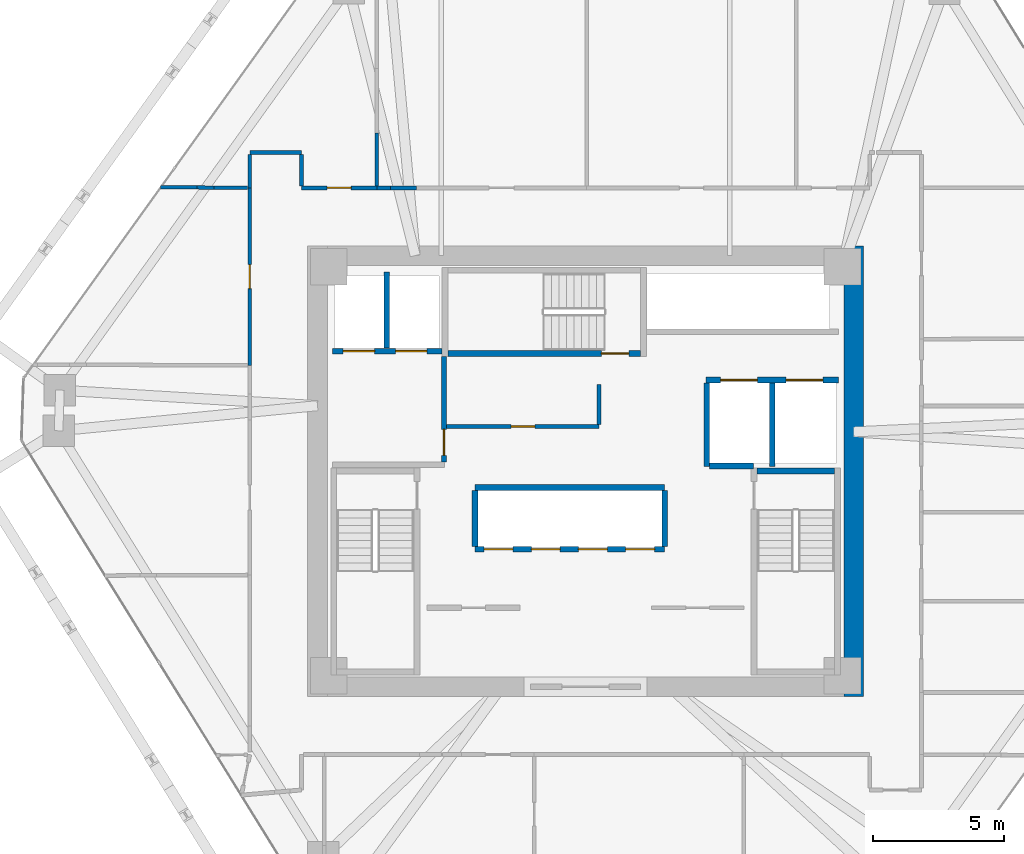
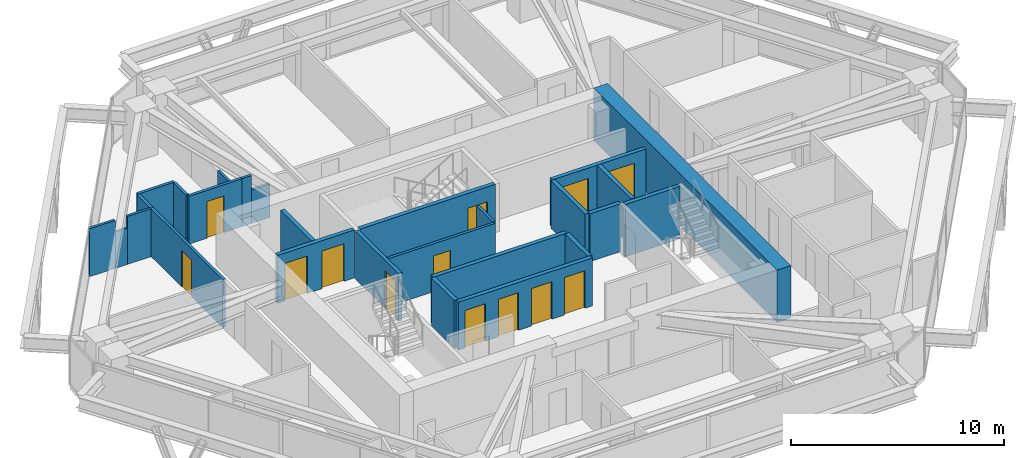
# One storey, part 11 of 14: 27 walls, 13 doors, 13 openings.
"""IFC4 building model written with IfcOpenShell, lengths in metres."""

from ifc_helpers import new_model, si_unit, direction, frame, frame_2d, origin, place, context, subcontext, project, spatial, rectangle, extrude, source, transform, mapped, material, layer, layer_set, type_object, type_shapes, element, fill, save


model = new_model("IFC4")

# Units and contexts
model_context = context("Model", 3, precision=1e-05, world=origin(), true_north=direction((0.0, 1.0)))
body_context = subcontext(model_context, "Body", "Model", "MODEL_VIEW")
ifc_project = project(units=[si_unit("LENGTHUNIT", "METRE"), si_unit("AREAUNIT", "SQUARE_METRE"), si_unit("VOLUMEUNIT", "CUBIC_METRE"), si_unit("PLANEANGLEUNIT", "RADIAN"), si_unit("MASSUNIT", "GRAM", prefix="KILO")], contexts=[model_context])

# Site, building, storey
site_placement = place(None, origin())
site = spatial("IfcSite", under=ifc_project, at=site_placement, CompositionType="ELEMENT")
building_placement = place(site_placement, origin())
building = spatial("IfcBuilding", under=site, at=building_placement, Name="Durnholm Broadcast Tower", CompositionType="ELEMENT")
storey_placement = place(building_placement, frame((0.0, 0.0, 140.10009765625)))
storey = spatial("IfcBuildingStorey", under=building, at=storey_placement, Name="L38", CompositionType="ELEMENT", Elevation=140.10009765625)

# Wall
ifc_material_1 = material(Name="Concrete C70/85", Category="concrete")
ifc_layer_1 = layer(ifc_material_1, 0.75)
ifc_layer_set_1 = layer_set([ifc_layer_1], Name="Concrete C70/85")
wall_type_1 = type_object("IfcWallType", Name="WALL-CW-750", PredefinedType="SHEAR", material=ifc_layer_set_1)
wall_1_placement = place(storey_placement, frame((10.22509765625, -8.60009765625, 0.0), z_axis=(0.0, 0.0, 1.0), x_axis=(0.0, 1.0, 0.0)))
element("IfcWall", 1, at=wall_1_placement, inside=storey, type_object=wall_type_1, Name="L38 central core shear wall CW-EAST", PredefinedType="SHEAR", context=body_context, shape_type="SweptSolid", body=[
    extrude(rectangle(XDim=17.2001953125, YDim=0.75, at=frame_2d((8.60009765625, 0.0))), origin(), (0.0, 0.0, 1.0), 3.0),
])

# Wall, opening, door
ifc_material_2 = material(Name="Fire-Rated Gypsum Shaftwall", Category="concrete")
ifc_layer_2 = layer(ifc_material_2, 0.199951171875)
ifc_layer_set_2 = layer_set([ifc_layer_2], Name="Fire-Rated Gypsum Shaftwall")
wall_type_2 = type_object("IfcWallType", Name="WALL-LOB-200", PredefinedType="SOLIDWALL", material=ifc_layer_set_2)
wall_2_placement = place(storey_placement, frame((-5.39990234375, 0.35400390625, 0.0), z_axis=(0.0, 0.0, 1.0), x_axis=(0.0, 1.0, 0.0)))
wall_2 = element("IfcWall", 2, at=wall_2_placement, inside=storey, type_object=wall_type_2, Name="L38 Fire Service Access Elevator lobby east fire wall", PredefinedType="SOLIDWALL", context=body_context, shape_type="SweptSolid", body=[
    extrude(rectangle(XDim=4.02587890625, YDim=0.199951171875, at=frame_2d((2.012939453125, 0.0))), origin(), (0.0, 0.0, 1.0), 2.744873046875),
])
opening_1_placement = place(wall_2_placement, frame((0.24609375, 0.0, 0.0)))
opening_1 = element("IfcOpeningElement", 3, at=opening_1_placement, cuts=wall_2, Name="Opening DL-60L", PredefinedType="OPENING", context=body_context, shape_type="SweptSolid", body=[
    extrude(rectangle(XDim=1.0, YDim=2.14990234375, at=frame_2d((0.5, 1.074951171875))), frame((0.0, 0.10986328125, 0.0), z_axis=(0.0, -1.0, 0.0), x_axis=(1.0, 0.0, 0.0)), (0.0, 0.0, 1.0), 0.219970703125),
])
ifc_material_3 = material(Name="Fire-Rated Timber/Steel Door", Category="steel")
ifc_layer_3 = layer(ifc_material_3, 0.050048828125)
ifc_layer_set_3 = layer_set([ifc_layer_3], Name="Fire-Rated Timber/Steel Door")
door_type_1 = type_object("IfcDoorType", Name="DOOR-LOB-FD60-L", OperationType="NOTDEFINED", PredefinedType="DOOR", material=ifc_layer_set_3)
shared_shape_1 = source(origin(), body_context, "Body", "SweptSolid", [
    extrude(rectangle(XDim=1.0, YDim=2.14990234375, at=frame_2d((0.5, 1.074951171875))), frame((0.0, 0.02490234375, 0.0), z_axis=(0.0, -1.0, 0.0), x_axis=(1.0, 0.0, 0.0)), (0.0, 0.0, 1.0), 0.050048828125),
])
type_shapes(door_type_1, [shared_shape_1])
door_1_placement = place(opening_1_placement, origin())
door_1 = element("IfcDoor", 4, at=door_1_placement, inside=storey, type_object=door_type_1, Name="L38 Fire Service Access Elevator lobby smoke door", OperationType="SINGLE_SWING_LEFT", OverallHeight=2.14990234375, OverallWidth=1.0, PredefinedType="DOOR", context=body_context, shape_type="MappedRepresentation", body=[
    mapped(shared_shape_1, transform((0.0, 0.0, 0.0), x_axis=(1.0, 0.0, 0.0), y_axis=(0.0, 1.0, 0.0), z_axis=(0.0, 0.0, 1.0), scale=1.0)),
])
fill(opening_1, door_1)

# Walls
ifc_material_4 = material(Name="Gypsum Metal Stud Partition", Category="concrete")
ifc_layer_4 = layer(ifc_material_4, 0.135009765625)
ifc_layer_set_4 = layer_set([ifc_layer_4], Name="Gypsum Metal Stud Partition")
wall_type_3 = type_object("IfcWallType", Name="WALL-PART-135", PredefinedType="PARTITIONING", material=ifc_layer_set_4)
wall_3_placement = place(storey_placement, frame((-7.9638671875, 12.91015625, 0.0), z_axis=(0.0, 0.0, 1.0), x_axis=(0.001811810047, -0.999998358671, 0.0)))
element("IfcWall", 5, at=wall_3_placement, inside=storey, type_object=wall_type_3, Name="L38 room dividing partition 7.8", PredefinedType="PARTITIONING", context=body_context, shape_type="SweptSolid", body=[
    extrude(rectangle(XDim=2.021240234375, YDim=0.135009765625, at=frame_2d((1.0107421875, 0.0))), origin(), (0.0, 0.0, 1.0), 1.912109375),
])
wall_4_placement = place(storey_placement, frame((-12.888916015625, 10.810546875, 0.0), z_axis=(0.0, 0.0, 1.0), x_axis=(-0.999976553189, 0.00684785161, 0.0)))
element("IfcWall", 6, at=wall_4_placement, inside=storey, type_object=wall_type_3, Name="L38 room dividing partition 7.17", PredefinedType="PARTITIONING", context=body_context, shape_type="SweptSolid", body=[
    extrude(rectangle(XDim=1.283447265625, YDim=0.135009765625, at=frame_2d((0.6416015625, 0.0))), origin(), (0.0, 0.0, 1.0), 2.744873046875),
])
wall_5_placement = place(storey_placement, frame((-14.82080078125, 10.82373046875, 0.0), z_axis=(0.0, 0.0, 1.0), x_axis=(-0.999976577186, 0.006844346527, 0.0)))
element("IfcWall", 7, at=wall_5_placement, inside=storey, type_object=wall_type_3, Name="L38 room dividing partition 7.17", PredefinedType="PARTITIONING", context=body_context, shape_type="SweptSolid", body=[
    extrude(rectangle(XDim=1.39111328125, YDim=0.135009765625, at=frame_2d((0.695556640625, 0.0))), origin(), (0.0, 0.0, 1.0), 2.744873046875),
])
wall_6_placement = place(storey_placement, frame((-14.17236328125, 10.8193359375, 0.0), z_axis=(0.0, 0.0, 1.0), x_axis=(-0.999977036192, 0.006776952806, 0.0)))
element("IfcWall", 8, at=wall_6_placement, inside=storey, type_object=wall_type_3, Name="L38 room dividing partition 7.17", PredefinedType="PARTITIONING", context=body_context, shape_type="SweptSolid", body=[
    extrude(rectangle(XDim=0.6484375, YDim=0.135009765625, at=frame_2d((0.32421875, 0.0))), origin(), (0.0, 0.0, 1.0), 2.079833984375),
])

# Wall, opening, door
ifc_material_5 = material(Name="Acoustic Gypsum Stud Partition", Category="concrete")
ifc_layer_5 = layer(ifc_material_5, 0.14990234375)
ifc_layer_set_5 = layer_set([ifc_layer_5], Name="Acoustic Gypsum Stud Partition")
wall_type_4 = type_object("IfcWallType", Name="WALL-PART-150", PredefinedType="PARTITIONING", material=ifc_layer_set_5)
wall_7_placement = place(storey_placement, frame((0.52001953125, 1.7099609375, 0.0), z_axis=(0.0, 0.0, 1.0), x_axis=(-1.0, 0.0, 0.0)))
wall_7 = element("IfcWall", 9, at=wall_7_placement, inside=storey, type_object=wall_type_4, Name="L38 Core Housekeeping Room corridor partition", PredefinedType="PARTITIONING", context=body_context, shape_type="SweptSolid", body=[
    extrude(rectangle(XDim=5.81591796875, YDim=0.14990234375, at=frame_2d((2.907958984375, 0.0))), origin(), (0.0, 0.0, 1.0), 2.744873046875),
])
opening_2_placement = place(wall_7_placement, frame((2.4580078125, 0.0, 0.0)))
opening_2 = element("IfcOpeningElement", 10, at=opening_2_placement, cuts=wall_7, Name="Opening DC-60L", PredefinedType="OPENING", context=body_context, shape_type="SweptSolid", body=[
    extrude(rectangle(XDim=0.89990234375, YDim=2.050048828125, at=frame_2d((0.449951171875, 1.02490234375))), frame((0.0, 0.0849609375, 0.0), z_axis=(0.0, -1.0, 0.0), x_axis=(1.0, 0.0, 0.0)), (0.0, 0.0, 1.0), 0.169921875),
])
ifc_material_6 = material(Name="Fire-Rated Core Service Door", Category="steel")
ifc_layer_6 = layer(ifc_material_6, 0.050048828125)
ifc_layer_set_6 = layer_set([ifc_layer_6], Name="Fire-Rated Core Service Door")
door_type_2 = type_object("IfcDoorType", Name="DOOR-CORE-FD60-L", OperationType="NOTDEFINED", PredefinedType="DOOR", material=ifc_layer_set_6)
shared_shape_2 = source(origin(), body_context, "Body", "SweptSolid", [
    extrude(rectangle(XDim=0.89990234375, YDim=2.050048828125, at=frame_2d((0.449951171875, 1.02490234375))), frame((0.0, 0.02490234375, 0.0), z_axis=(0.0, -1.0, 0.0), x_axis=(1.0, 0.0, 0.0)), (0.0, 0.0, 1.0), 0.050048828125),
])
type_shapes(door_type_2, [shared_shape_2])
door_2_placement = place(opening_2_placement, origin())
door_2 = element("IfcDoor", 11, at=door_2_placement, inside=storey, type_object=door_type_2, Name="L38 Core Housekeeping Room entrance door", OperationType="SINGLE_SWING_LEFT", OverallHeight=2.050048828125, OverallWidth=0.89990234375, PredefinedType="DOOR", context=body_context, shape_type="MappedRepresentation", body=[
    mapped(shared_shape_2, transform((0.0, 0.0, 0.0), x_axis=(1.0, 0.0, 0.0), y_axis=(0.0, 1.0, 0.0), z_axis=(0.0, 0.0, 1.0), scale=1.0)),
])
fill(opening_2, door_2)

# Wall
wall_8_placement = place(storey_placement, frame((0.52001953125, 3.300048828125, 0.0), z_axis=(0.0, 0.0, 1.0), x_axis=(0.0, -1.0, 0.0)))
element("IfcWall", 12, at=wall_8_placement, inside=storey, type_object=wall_type_4, Name="L38 Core Housekeeping Room corridor partition", PredefinedType="PARTITIONING", context=body_context, shape_type="SweptSolid", body=[
    extrude(rectangle(XDim=1.510986328125, YDim=0.14990234375, at=frame_2d((0.75537109375, 0.0))), origin(), (0.0, 0.0, 1.0), 2.744873046875),
])

# Wall, opening, door
wall_9_placement = place(storey_placement, frame((-7.9599609375, 10.81005859375, 0.0), z_axis=(0.0, 0.0, 1.0), x_axis=(-1.0, 0.0, 0.0)))
wall_9 = element("IfcWall", 13, at=wall_9_placement, inside=storey, type_object=wall_type_4, Name="L38 Compliance Office 1 corridor partition", PredefinedType="PARTITIONING", context=body_context, shape_type="SweptSolid", body=[
    extrude(rectangle(XDim=2.880126953125, YDim=0.14990234375, at=frame_2d((1.43994140625, 0.0))), origin(), (0.0, 0.0, 1.0), 2.744873046875),
])
opening_3_placement = place(wall_9_placement, frame((0.97998046875, 0.0, 0.0)))
opening_3 = element("IfcOpeningElement", 14, at=opening_3_placement, cuts=wall_9, Name="Opening DR-92L", PredefinedType="OPENING", context=body_context, shape_type="SweptSolid", body=[
    extrude(rectangle(XDim=0.919921875, YDim=2.10009765625, at=frame_2d((0.4599609375, 1.050048828125))), frame((0.0, 0.0849609375, 0.0), z_axis=(0.0, -1.0, 0.0), x_axis=(1.0, 0.0, 0.0)), (0.0, 0.0, 1.0), 0.169921875),
])
ifc_material_7 = material(Name="Oak Veneer Office Door", Category="wood")
ifc_layer_7 = layer(ifc_material_7, 0.050048828125)
ifc_layer_set_7 = layer_set([ifc_layer_7], Name="Oak Veneer Office Door")
door_type_3 = type_object("IfcDoorType", Name="DOOR-RM-920L", OperationType="NOTDEFINED", PredefinedType="DOOR", material=ifc_layer_set_7)
shared_shape_3 = source(origin(), body_context, "Body", "SweptSolid", [
    extrude(rectangle(XDim=0.919921875, YDim=2.10009765625, at=frame_2d((0.4599609375, 1.050048828125))), frame((0.0, 0.02490234375, 0.0), z_axis=(0.0, -1.0, 0.0), x_axis=(1.0, 0.0, 0.0)), (0.0, 0.0, 1.0), 0.050048828125),
])
type_shapes(door_type_3, [shared_shape_3])
door_3_placement = place(opening_3_placement, origin())
door_3 = element("IfcDoor", 15, at=door_3_placement, inside=storey, type_object=door_type_3, Name="L38 Compliance Office 1 entrance door", OperationType="SINGLE_SWING_LEFT", OverallHeight=2.10009765625, OverallWidth=0.919921875, PredefinedType="DOOR", context=body_context, shape_type="MappedRepresentation", body=[
    mapped(shared_shape_3, transform((0.0, 0.0, 0.0), x_axis=(1.0, 0.0, 0.0), y_axis=(0.0, 1.0, 0.0), z_axis=(0.0, 0.0, 1.0), scale=1.0)),
])
fill(opening_3, door_3)

# Walls
wall_10_placement = place(storey_placement, frame((-10.840087890625, 12.159912109375, 0.0), z_axis=(0.0, 0.0, 1.0), x_axis=(-1.0, 0.0, 0.0)))
element("IfcWall", 16, at=wall_10_placement, inside=storey, type_object=wall_type_4, Name="L38 Compliance Office 1 corridor partition", PredefinedType="PARTITIONING", context=body_context, shape_type="SweptSolid", body=[
    extrude(rectangle(XDim=1.969970703125, YDim=0.14990234375, at=frame_2d((0.98486328125, 0.0))), origin(), (0.0, 0.0, 1.0), 2.744873046875),
])
wall_11_placement = place(storey_placement, frame((-10.840087890625, 10.888916015625, 0.0), z_axis=(0.0, 0.0, 1.0), x_axis=(0.0, 1.0, 0.0)))
element("IfcWall", 17, at=wall_11_placement, inside=storey, type_object=wall_type_4, Name="L38 Compliance Office 1 corridor partition", PredefinedType="PARTITIONING", context=body_context, shape_type="SweptSolid", body=[
    extrude(rectangle(XDim=1.192138671875, YDim=0.14990234375, at=frame_2d((0.59619140625, 0.0))), origin(), (0.0, 0.0, 1.0), 2.744873046875),
])
wall_12_placement = place(storey_placement, frame((-12.81005859375, 12.0810546875, 0.0), z_axis=(0.0, 0.0, 1.0), x_axis=(0.0, -1.0, 0.0)))
element("IfcWall", 18, at=wall_12_placement, inside=storey, type_object=wall_type_4, Name="L38 Compliance Office 1 corridor partition", PredefinedType="PARTITIONING", context=body_context, shape_type="SweptSolid", body=[
    extrude(rectangle(XDim=1.27099609375, YDim=0.14990234375, at=frame_2d((0.635498046875, 0.0))), origin(), (0.0, 0.0, 1.0), 2.744873046875),
])
wall_13_placement = place(storey_placement, frame((-7.44287109375, 10.81005859375, 0.0), z_axis=(0.0, 0.0, 1.0), x_axis=(-1.0, 0.0, 0.0)))
element("IfcWall", 19, at=wall_13_placement, inside=storey, type_object=wall_type_4, Name="L38 Compliance Office 2 corridor partition", PredefinedType="PARTITIONING", context=body_context, shape_type="SweptSolid", body=[
    extrude(rectangle(XDim=0.51708984375, YDim=0.14990234375, at=frame_2d((0.258544921875, 0.0))), origin(), (0.0, 0.0, 1.0), 2.744873046875),
])
wall_14_placement = place(storey_placement, frame((-6.441162109375, 10.81005859375, 0.0), z_axis=(0.0, 0.0, 1.0), x_axis=(-1.0, 0.0, 0.0)))
element("IfcWall", 20, at=wall_14_placement, inside=storey, type_object=wall_type_4, Name="L38 Compliance Office 2 corridor partition", PredefinedType="PARTITIONING", context=body_context, shape_type="SweptSolid", body=[
    extrude(rectangle(XDim=1.001708984375, YDim=0.14990234375, at=frame_2d((0.5009765625, 0.0))), origin(), (0.0, 0.0, 1.0), 1.912109375),
])

# Wall, opening, door
wall_15_placement = place(storey_placement, frame((-12.81005859375, 10.81005859375, 0.0), z_axis=(0.0, 0.0, 1.0), x_axis=(0.0, -1.0, 0.0)))
wall_15 = element("IfcWall", 21, at=wall_15_placement, inside=storey, type_object=wall_type_4, Name="L38 Captioning Office corridor partition", PredefinedType="PARTITIONING", context=body_context, shape_type="SweptSolid", body=[
    extrude(rectangle(XDim=6.77001953125, YDim=0.14990234375, at=frame_2d((3.385009765625, 0.0))), origin(), (0.0, 0.0, 1.0), 2.744873046875),
])
opening_4_placement = place(wall_15_placement, frame((2.925048828125, 0.0, 0.0)))
opening_4 = element("IfcOpeningElement", 22, at=opening_4_placement, cuts=wall_15, Name="Opening DR-92L", PredefinedType="OPENING", context=body_context, shape_type="SweptSolid", body=[
    extrude(rectangle(XDim=0.919921875, YDim=2.10009765625, at=frame_2d((0.4599609375, 1.050048828125))), frame((0.0, 0.0849609375, 0.0), z_axis=(0.0, -1.0, 0.0), x_axis=(1.0, 0.0, 0.0)), (0.0, 0.0, 1.0), 0.169921875),
])
door_4_placement = place(opening_4_placement, origin())
door_4 = element("IfcDoor", 23, at=door_4_placement, inside=storey, type_object=door_type_3, Name="L38 Captioning Office entrance door", OperationType="SINGLE_SWING_LEFT", OverallHeight=2.10009765625, OverallWidth=0.919921875, PredefinedType="DOOR", context=body_context, shape_type="MappedRepresentation", body=[
    mapped(shared_shape_3, transform((0.0, 0.0, 0.0), x_axis=(1.0, 0.0, 0.0), y_axis=(0.0, 1.0, 0.0), z_axis=(0.0, 0.0, 1.0), scale=1.0)),
])
fill(opening_4, door_4)

# Wall, openings, doors
ifc_material_8 = material(Name="Concrete Blockwork C30/37", Category="masonry")
ifc_layer_8 = layer(ifc_material_8, 0.219970703125)
ifc_layer_set_8 = layer_set([ifc_layer_8], Name="Concrete Blockwork C30/37")
wall_type_5 = type_object("IfcWallType", Name="WALL-SHAFT-220", PredefinedType="SOLIDWALL", material=ifc_layer_set_8)
wall_16_placement = place(storey_placement, frame((-9.64990234375, 4.580078125, 0.0), z_axis=(0.0, 0.0, 1.0), x_axis=(1.0, 0.0, 0.0)))
wall_16 = element("IfcWall", 24, at=wall_16_placement, inside=storey, type_object=wall_type_5, Name="L38 FSAE hoistway front fire wall", PredefinedType="SOLIDWALL", context=body_context, shape_type="SweptSolid", body=[
    extrude(rectangle(XDim=4.1748046875, YDim=0.219970703125, at=frame_2d((2.08740234375, 0.0))), origin(), (0.0, 0.0, 1.0), 2.744873046875),
])
opening_5_placement = place(wall_16_placement, frame((0.39990234375, 0.0, 0.0)))
opening_5 = element("IfcOpeningElement", 25, at=opening_5_placement, cuts=wall_16, Name="Opening LD-FSAE-2", PredefinedType="OPENING", context=body_context, shape_type="SweptSolid", body=[
    extrude(rectangle(XDim=1.199951171875, YDim=2.14990234375, at=frame_2d((0.60009765625, 1.074951171875))), frame((0.0, 0.1201171875, 0.0), z_axis=(0.0, -1.0, 0.0), x_axis=(1.0, 0.0, 0.0)), (0.0, 0.0, 1.0), 0.239990234375),
])
opening_6_placement = place(wall_16_placement, frame((2.39990234375, 0.0, 0.0)))
opening_6 = element("IfcOpeningElement", 26, at=opening_6_placement, cuts=wall_16, Name="Opening LD-FSAE-1", PredefinedType="OPENING", context=body_context, shape_type="SweptSolid", body=[
    extrude(rectangle(XDim=1.199951171875, YDim=2.14990234375, at=frame_2d((0.60009765625, 1.074951171875))), frame((0.0, 0.1201171875, 0.0), z_axis=(0.0, -1.0, 0.0), x_axis=(1.0, 0.0, 0.0)), (0.0, 0.0, 1.0), 0.239990234375),
])
ifc_material_9 = material(Name="Fire Service Access Sliding Landing Door", Category="steel")
ifc_layer_9 = layer(ifc_material_9, 0.050048828125)
ifc_layer_set_9 = layer_set([ifc_layer_9], Name="Fire Service Access Sliding Landing Door")
door_type_4 = type_object("IfcDoorType", Name="DOOR-LIFT-FSAE", OperationType="DOUBLE_DOOR_SLIDING", PredefinedType="DOOR", material=ifc_layer_set_9)
shared_shape_4 = source(origin(), body_context, "Body", "SweptSolid", [
    extrude(rectangle(XDim=1.199951171875, YDim=2.14990234375, at=frame_2d((0.60009765625, 1.074951171875))), frame((0.0, 0.02490234375, 0.0), z_axis=(0.0, -1.0, 0.0), x_axis=(1.0, 0.0, 0.0)), (0.0, 0.0, 1.0), 0.050048828125),
])
type_shapes(door_type_4, [shared_shape_4])
door_5_placement = place(opening_5_placement, origin())
door_5 = element("IfcDoor", 27, at=door_5_placement, inside=storey, type_object=door_type_4, Name="L38 Fire Service Access Elevator FSAE-2 sliding landing door", OperationType="DOUBLE_DOOR_SLIDING", OverallHeight=2.14990234375, OverallWidth=1.199951171875, PredefinedType="DOOR", context=body_context, shape_type="MappedRepresentation", body=[
    mapped(shared_shape_4, transform((0.0, 0.0, 0.0), x_axis=(1.0, 0.0, 0.0), y_axis=(0.0, 1.0, 0.0), z_axis=(0.0, 0.0, 1.0), scale=1.0)),
])
fill(opening_5, door_5)
door_6_placement = place(opening_6_placement, origin())
door_6 = element("IfcDoor", 28, at=door_6_placement, inside=storey, type_object=door_type_4, Name="L38 Fire Service Access Elevator FSAE-1 sliding landing door", OperationType="DOUBLE_DOOR_SLIDING", OverallHeight=2.14990234375, OverallWidth=1.199951171875, PredefinedType="DOOR", context=body_context, shape_type="MappedRepresentation", body=[
    mapped(shared_shape_4, transform((0.0, 0.0, 0.0), x_axis=(1.0, 0.0, 0.0), y_axis=(0.0, 1.0, 0.0), z_axis=(0.0, 0.0, 1.0), scale=1.0)),
])
fill(opening_6, door_6)

# Wall
wall_17_placement = place(storey_placement, frame((-7.580078125, 4.694091796875, 0.0), z_axis=(0.0, 0.0, 1.0), x_axis=(0.0, 1.0, 0.0)))
element("IfcWall", 29, at=wall_17_placement, inside=storey, type_object=wall_type_5, Name="L38 FSAE shaft divider wall", PredefinedType="SOLIDWALL", context=body_context, shape_type="SweptSolid", body=[
    extrude(rectangle(XDim=2.906005859375, YDim=0.219970703125, at=frame_2d((1.453125, 0.0))), origin(), (0.0, 0.0, 1.0), 2.744873046875),
])

# Wall, openings, doors
wall_18_placement = place(storey_placement, frame((4.60009765625, 3.47998046875, 0.0), z_axis=(0.0, 0.0, 1.0), x_axis=(1.0, 0.0, 0.0)))
wall_18 = element("IfcWall", 30, at=wall_18_placement, inside=storey, type_object=wall_type_5, Name="L38 freight service lifts north front wall", PredefinedType="SOLIDWALL", context=body_context, shape_type="SweptSolid", body=[
    extrude(rectangle(XDim=5.0498046875, YDim=0.219970703125, at=frame_2d((2.52490234375, 0.0))), origin(), (0.0, 0.0, 1.0), 2.744873046875),
])
opening_7_placement = place(wall_18_placement, frame((0.550048828125, 0.0, 0.0)))
opening_7 = element("IfcOpeningElement", 31, at=opening_7_placement, cuts=wall_18, Name="Opening LD-SVL-2", PredefinedType="OPENING", context=body_context, shape_type="SweptSolid", body=[
    extrude(rectangle(XDim=1.39990234375, YDim=2.14990234375, at=frame_2d((0.699951171875, 1.074951171875))), frame((0.0, 0.1201171875, 0.0), z_axis=(0.0, -1.0, 0.0), x_axis=(1.0, 0.0, 0.0)), (0.0, 0.0, 1.0), 0.239990234375),
])
opening_8_placement = place(wall_18_placement, frame((3.050048828125, 0.0, 0.0)))
opening_8 = element("IfcOpeningElement", 32, at=opening_8_placement, cuts=wall_18, Name="Opening LD-SVL-1", PredefinedType="OPENING", context=body_context, shape_type="SweptSolid", body=[
    extrude(rectangle(XDim=1.39990234375, YDim=2.14990234375, at=frame_2d((0.699951171875, 1.074951171875))), frame((0.0, 0.1201171875, 0.0), z_axis=(0.0, -1.0, 0.0), x_axis=(1.0, 0.0, 0.0)), (0.0, 0.0, 1.0), 0.239990234375),
])
ifc_material_10 = material(Name="Freight Elevator Bi-Parting Sliding Landing Door", Category="steel")
ifc_layer_10 = layer(ifc_material_10, 0.050048828125)
ifc_layer_set_10 = layer_set([ifc_layer_10], Name="Freight Elevator Bi-Parting Sliding Landing Door")
door_type_5 = type_object("IfcDoorType", Name="DOOR-LIFT-SVL", OperationType="DOUBLE_DOOR_SLIDING", PredefinedType="DOOR", material=ifc_layer_set_10)
shared_shape_5 = source(origin(), body_context, "Body", "SweptSolid", [
    extrude(rectangle(XDim=1.39990234375, YDim=2.14990234375, at=frame_2d((0.699951171875, 1.074951171875))), frame((0.0, 0.02490234375, 0.0), z_axis=(0.0, -1.0, 0.0), x_axis=(1.0, 0.0, 0.0)), (0.0, 0.0, 1.0), 0.050048828125),
])
type_shapes(door_type_5, [shared_shape_5])
door_7_placement = place(opening_7_placement, origin())
door_7 = element("IfcDoor", 33, at=door_7_placement, inside=storey, type_object=door_type_5, Name="L38 freight service elevator SVL-2 sliding landing door", OperationType="DOUBLE_DOOR_SLIDING", OverallHeight=2.14990234375, OverallWidth=1.39990234375, PredefinedType="DOOR", context=body_context, shape_type="MappedRepresentation", body=[
    mapped(shared_shape_5, transform((0.0, 0.0, 0.0), x_axis=(1.0, 0.0, 0.0), y_axis=(0.0, 1.0, 0.0), z_axis=(0.0, 0.0, 1.0), scale=1.0)),
])
fill(opening_7, door_7)
door_8_placement = place(opening_8_placement, origin())
door_8 = element("IfcDoor", 34, at=door_8_placement, inside=storey, type_object=door_type_5, Name="L38 freight service elevator SVL-1 sliding landing door", OperationType="DOUBLE_DOOR_SLIDING", OverallHeight=2.14990234375, OverallWidth=1.39990234375, PredefinedType="DOOR", context=body_context, shape_type="MappedRepresentation", body=[
    mapped(shared_shape_5, transform((0.0, 0.0, 0.0), x_axis=(1.0, 0.0, 0.0), y_axis=(0.0, 1.0, 0.0), z_axis=(0.0, 0.0, 1.0), scale=1.0)),
])
fill(opening_8, door_8)

# Walls
for number, where, z_axis, x_axis, name in (
    (35, (4.6201171875, 0.179931640625, 0.0), (0.0, 0.0, 1.0), (0.0, 1.0, 0.0), "L38 freight service lift SVL-2 west wall"),
    (36, (7.1201171875, 0.179931640625, 0.0), (0.0, 0.0, 1.0), (0.0, 1.0, 0.0), "L38 freight service lifts divider wall"),
):
    element("IfcWall", number, at=place(storey_placement, frame(where, z_axis=z_axis, x_axis=x_axis)), inside=storey, type_object=wall_type_5, Name=name, PredefinedType="SOLIDWALL", context=body_context, shape_type="SweptSolid", body=[
        extrude(rectangle(XDim=3.18603515625, YDim=0.219970703125, at=frame_2d((1.593017578125, 0.0))), origin(), (0.0, 0.0, 1.0), 2.744873046875),
    ])
wall_19_placement = place(storey_placement, frame((4.73388671875, 0.199951171875, 0.0), z_axis=(0.0, 0.0, 1.0), x_axis=(1.0, 0.0, 0.0)))
element("IfcWall", 37, at=wall_19_placement, inside=storey, type_object=wall_type_5, Name="L38 freight service lift SVL-2 south wall", PredefinedType="SOLIDWALL", context=body_context, shape_type="SweptSolid", body=[
    extrude(rectangle(XDim=1.666015625, YDim=0.219970703125, at=frame_2d((0.8330078125, 0.0))), origin(), (0.0, 0.0, 1.0), 2.744873046875),
])

# Wall, openings, doors
wall_20_placement = place(storey_placement, frame((-4.219970703125, -2.97998046875, 0.0), z_axis=(0.0, 0.0, 1.0), x_axis=(1.0, 0.0, 0.0)))
wall_20 = element("IfcWall", 38, at=wall_20_placement, inside=storey, type_object=wall_type_5, Name="L38 mid-rise bank P2 south front wall", PredefinedType="SOLIDWALL", context=body_context, shape_type="SweptSolid", body=[
    extrude(rectangle(XDim=7.239990234375, YDim=0.219970703125, at=frame_2d((3.6201171875, 0.0))), origin(), (0.0, 0.0, 1.0), 2.744873046875),
])
opening_9_placement = place(wall_20_placement, frame((0.35009765625, 0.0, 0.0)))
opening_9 = element("IfcOpeningElement", 39, at=opening_9_placement, cuts=wall_20, Name="Opening LD-LP2-1", PredefinedType="OPENING", context=body_context, shape_type="SweptSolid", body=[
    extrude(rectangle(XDim=1.10009765625, YDim=2.14990234375, at=frame_2d((0.550048828125, 1.074951171875))), frame((0.0, 0.1201171875, 0.0), z_axis=(0.0, -1.0, 0.0), x_axis=(1.0, 0.0, 0.0)), (0.0, 0.0, 1.0), 0.239990234375),
])
opening_10_placement = place(wall_20_placement, frame((2.14990234375, 0.0, 0.0)))
opening_10 = element("IfcOpeningElement", 40, at=opening_10_placement, cuts=wall_20, Name="Opening LD-LP2-2", PredefinedType="OPENING", context=body_context, shape_type="SweptSolid", body=[
    extrude(rectangle(XDim=1.10009765625, YDim=2.14990234375, at=frame_2d((0.550048828125, 1.074951171875))), frame((0.0, 0.1201171875, 0.0), z_axis=(0.0, -1.0, 0.0), x_axis=(1.0, 0.0, 0.0)), (0.0, 0.0, 1.0), 0.239990234375),
])
opening_11_placement = place(wall_20_placement, frame((3.949951171875, 0.0, 0.0)))
opening_11 = element("IfcOpeningElement", 41, at=opening_11_placement, cuts=wall_20, Name="Opening LD-LP2-3", PredefinedType="OPENING", context=body_context, shape_type="SweptSolid", body=[
    extrude(rectangle(XDim=1.10009765625, YDim=2.14990234375, at=frame_2d((0.550048828125, 1.074951171875))), frame((0.0, 0.1201171875, 0.0), z_axis=(0.0, -1.0, 0.0), x_axis=(1.0, 0.0, 0.0)), (0.0, 0.0, 1.0), 0.239990234375),
])
opening_12_placement = place(wall_20_placement, frame((5.75, 0.0, 0.0)))
opening_12 = element("IfcOpeningElement", 42, at=opening_12_placement, cuts=wall_20, Name="Opening LD-LP2-4", PredefinedType="OPENING", context=body_context, shape_type="SweptSolid", body=[
    extrude(rectangle(XDim=1.10009765625, YDim=2.14990234375, at=frame_2d((0.550048828125, 1.074951171875))), frame((0.0, 0.1201171875, 0.0), z_axis=(0.0, -1.0, 0.0), x_axis=(1.0, 0.0, 0.0)), (0.0, 0.0, 1.0), 0.239990234375),
])
ifc_material_11 = material(Name="Stainless Steel Sliding Elevator Landing Door", Category="steel")
ifc_layer_11 = layer(ifc_material_11, 0.050048828125)
ifc_layer_set_11 = layer_set([ifc_layer_11], Name="Stainless Steel Sliding Elevator Landing Door")
door_type_6 = type_object("IfcDoorType", Name="DOOR-LIFT-PAX", OperationType="DOUBLE_DOOR_SLIDING", PredefinedType="DOOR", material=ifc_layer_set_11)
shared_shape_6 = source(origin(), body_context, "Body", "SweptSolid", [
    extrude(rectangle(XDim=1.10009765625, YDim=2.14990234375, at=frame_2d((0.550048828125, 1.074951171875))), frame((0.0, 0.02490234375, 0.0), z_axis=(0.0, -1.0, 0.0), x_axis=(1.0, 0.0, 0.0)), (0.0, 0.0, 1.0), 0.050048828125),
])
type_shapes(door_type_6, [shared_shape_6])
door_9_placement = place(opening_9_placement, origin())
door_9 = element("IfcDoor", 43, at=door_9_placement, inside=storey, type_object=door_type_6, Name="L38 passenger elevator LP2-1 sliding landing door", OperationType="DOUBLE_DOOR_SLIDING", OverallHeight=2.14990234375, OverallWidth=1.10009765625, PredefinedType="DOOR", context=body_context, shape_type="MappedRepresentation", body=[
    mapped(shared_shape_6, transform((0.0, 0.0, 0.0), x_axis=(1.0, 0.0, 0.0), y_axis=(0.0, 1.0, 0.0), z_axis=(0.0, 0.0, 1.0), scale=1.0)),
])
fill(opening_9, door_9)
door_10_placement = place(opening_10_placement, origin())
door_10 = element("IfcDoor", 44, at=door_10_placement, inside=storey, type_object=door_type_6, Name="L38 passenger elevator LP2-2 sliding landing door", OperationType="DOUBLE_DOOR_SLIDING", OverallHeight=2.14990234375, OverallWidth=1.10009765625, PredefinedType="DOOR", context=body_context, shape_type="MappedRepresentation", body=[
    mapped(shared_shape_6, transform((0.0, 0.0, 0.0), x_axis=(1.0, 0.0, 0.0), y_axis=(0.0, 1.0, 0.0), z_axis=(0.0, 0.0, 1.0), scale=1.0)),
])
fill(opening_10, door_10)
door_11_placement = place(opening_11_placement, origin())
door_11 = element("IfcDoor", 45, at=door_11_placement, inside=storey, type_object=door_type_6, Name="L38 passenger elevator LP2-3 sliding landing door", OperationType="DOUBLE_DOOR_SLIDING", OverallHeight=2.14990234375, OverallWidth=1.10009765625, PredefinedType="DOOR", context=body_context, shape_type="MappedRepresentation", body=[
    mapped(shared_shape_6, transform((0.0, 0.0, 0.0), x_axis=(1.0, 0.0, 0.0), y_axis=(0.0, 1.0, 0.0), z_axis=(0.0, 0.0, 1.0), scale=1.0)),
])
fill(opening_11, door_11)
door_12_placement = place(opening_12_placement, origin())
door_12 = element("IfcDoor", 46, at=door_12_placement, inside=storey, type_object=door_type_6, Name="L38 passenger elevator LP2-4 sliding landing door", OperationType="DOUBLE_DOOR_SLIDING", OverallHeight=2.14990234375, OverallWidth=1.10009765625, PredefinedType="DOOR", context=body_context, shape_type="MappedRepresentation", body=[
    mapped(shared_shape_6, transform((0.0, 0.0, 0.0), x_axis=(1.0, 0.0, 0.0), y_axis=(0.0, 1.0, 0.0), z_axis=(0.0, 0.0, 1.0), scale=1.0)),
])
fill(opening_12, door_12)

# Walls
wall_21_placement = place(storey_placement, frame((-4.219970703125, -0.6201171875, 0.0), z_axis=(0.0, 0.0, 1.0), x_axis=(1.0, 0.0, 0.0)))
element("IfcWall", 47, at=wall_21_placement, inside=storey, type_object=wall_type_5, Name="L38 mid-rise bank P2 north shaft wall", PredefinedType="SOLIDWALL", context=body_context, shape_type="SweptSolid", body=[
    extrude(rectangle(XDim=7.239990234375, YDim=0.219970703125, at=frame_2d((3.6201171875, 0.0))), origin(), (0.0, 0.0, 1.0), 2.744873046875),
])
for number, where, z_axis, x_axis, name in (
    (48, (-4.219970703125, -2.865966796875, 0.0), (0.0, 0.0, 1.0), (0.0, 1.0, 0.0), "L38 mid-rise bank P2 west shaft wall"),
    (49, (3.02001953125, -2.865966796875, 0.0), (0.0, 0.0, 1.0), (0.0, 1.0, 0.0), "L38 mid-rise bank P2 east shaft wall"),
):
    element("IfcWall", number, at=place(storey_placement, frame(where, z_axis=z_axis, x_axis=x_axis)), inside=storey, type_object=wall_type_5, Name=name, PredefinedType="SOLIDWALL", context=body_context, shape_type="SweptSolid", body=[
        extrude(rectangle(XDim=2.132080078125, YDim=0.219970703125, at=frame_2d((1.06591796875, 0.0))), origin(), (0.0, 0.0, 1.0), 2.744873046875),
    ])
ifc_material_12 = material(Name="Concrete C50/60", Category="concrete")
ifc_layer_12 = layer(ifc_material_12, 0.219970703125)
ifc_layer_set_12 = layer_set([ifc_layer_12], Name="Concrete C50/60")
wall_type_6 = type_object("IfcWallType", Name="WALL-SW-220", PredefinedType="SHEAR", material=ifc_layer_set_12)
wall_22_placement = place(storey_placement, frame((9.5, 0.010009765625, -0.239990234375), z_axis=(0.0, 0.0, 1.0), x_axis=(-1.0, 0.0, 0.0)))
element("IfcWall", 50, at=wall_22_placement, inside=storey, type_object=wall_type_6, Name="L38 stair ST-2 structural shaft wall N", PredefinedType="SHEAR", context=body_context, shape_type="SweptSolid", body=[
    extrude(rectangle(XDim=2.9599609375, YDim=0.219970703125, at=frame_2d((1.47998046875, 0.0))), origin(), (0.0, 0.0, 1.0), 3.0),
])

# Wall, opening, door
wall_23_placement = place(storey_placement, frame((-5.25, 4.489990234375, -0.239990234375), z_axis=(0.0, 0.0, 1.0), x_axis=(1.0, 0.0, 0.0)))
wall_23 = element("IfcWall", 51, at=wall_23_placement, inside=storey, type_object=wall_type_6, Name="L38 stair ST-3 structural shaft wall S", PredefinedType="SHEAR", context=body_context, shape_type="SweptSolid", body=[
    extrude(rectangle(XDim=7.35009765625, YDim=0.219970703125, at=frame_2d((3.675048828125, 0.0))), origin(), (0.0, 0.0, 1.0), 3.0),
])
opening_13_placement = place(wall_23_placement, frame((5.85009765625, 0.0, 0.0)))
opening_13 = element("IfcOpeningElement", 52, at=opening_13_placement, cuts=wall_23, Name="Opening DS-90L", PredefinedType="OPENING", context=body_context, shape_type="SweptSolid", body=[
    extrude(rectangle(XDim=1.050048828125, YDim=2.14990234375, at=frame_2d((0.52490234375, 1.074951171875))), frame((0.0, 0.1201171875, 0.0), z_axis=(0.0, -1.0, 0.0), x_axis=(1.0, 0.0, 0.0)), (0.0, 0.0, 1.0), 0.239990234375),
])
ifc_material_13 = material(Name="Fire-Rated Steel Door", Category="steel")
ifc_layer_13 = layer(ifc_material_13, 0.050048828125)
ifc_layer_set_13 = layer_set([ifc_layer_13], Name="Fire-Rated Steel Door")
door_type_7 = type_object("IfcDoorType", Name="DOOR-ST-FD90-L", OperationType="NOTDEFINED", PredefinedType="DOOR", material=ifc_layer_set_13)
shared_shape_7 = source(origin(), body_context, "Body", "SweptSolid", [
    extrude(rectangle(XDim=1.050048828125, YDim=2.14990234375, at=frame_2d((0.52490234375, 1.074951171875))), frame((0.0, 0.02490234375, 0.0), z_axis=(0.0, -1.0, 0.0), x_axis=(1.0, 0.0, 0.0)), (0.0, 0.0, 1.0), 0.050048828125),
])
type_shapes(door_type_7, [shared_shape_7])
door_13_placement = place(opening_13_placement, origin())
door_13 = element("IfcDoor", 53, at=door_13_placement, inside=storey, type_object=door_type_7, Name="L38 exit stair ST-3 fire door", OperationType="SINGLE_SWING_LEFT", OverallHeight=2.14990234375, OverallWidth=1.050048828125, PredefinedType="DOOR", context=body_context, shape_type="MappedRepresentation", body=[
    mapped(shared_shape_7, transform((0.0, 0.0, 0.0), x_axis=(1.0, 0.0, 0.0), y_axis=(0.0, 1.0, 0.0), z_axis=(0.0, 0.0, 1.0), scale=1.0)),
])
fill(opening_13, door_13)

save(model, "model.ifc")
